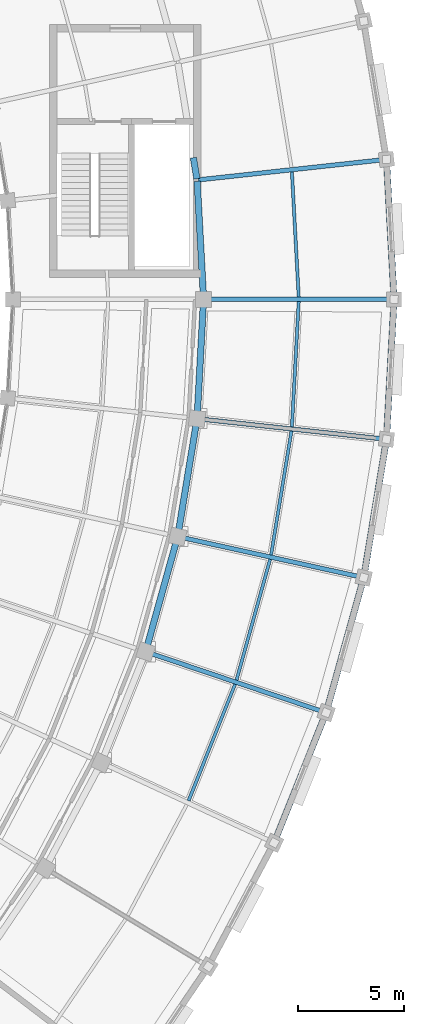
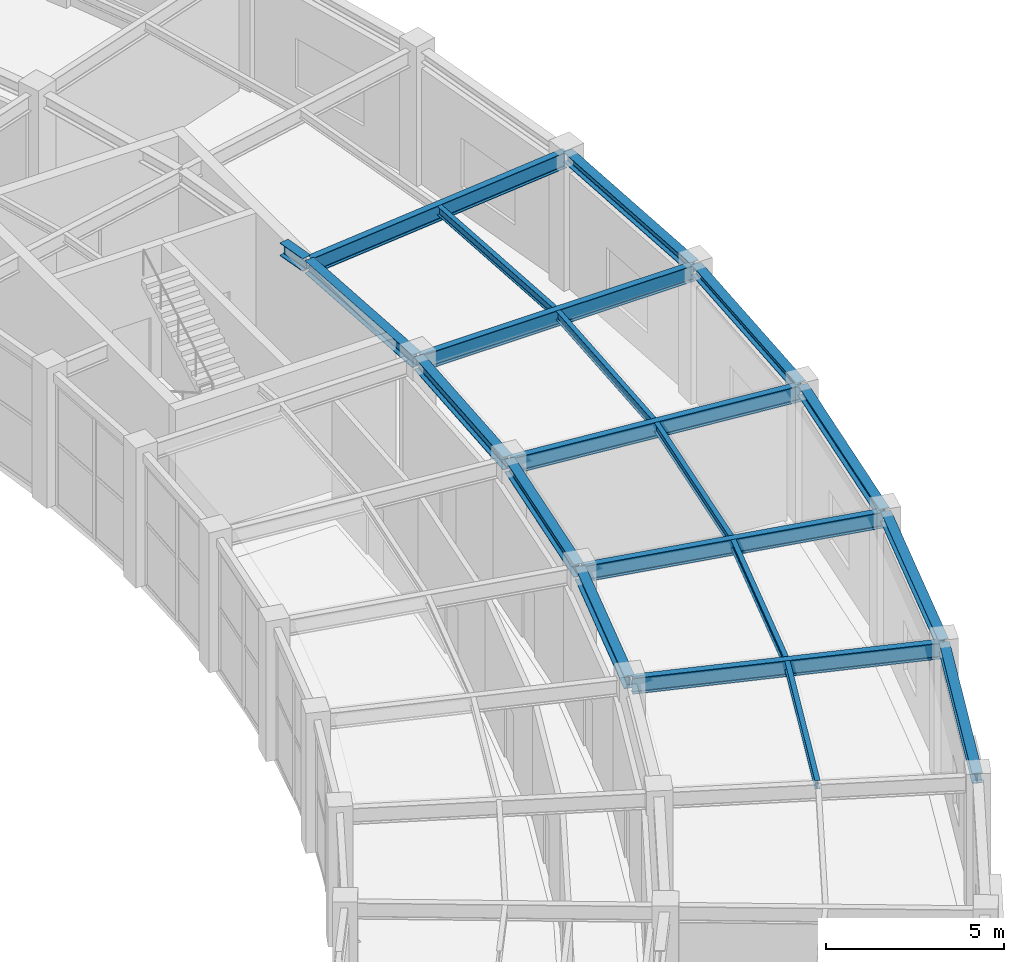
# One storey, part 59 of 100: 20 beams.
"""IFC4 building model written with IfcOpenShell, lengths in metres."""

from ifc_helpers import new_model, si_unit, direction, frame, origin, origin_2d, place, context, subcontext, project, spatial, i_section, extrude, material, material_profile, profile_set, type_object, element, save


model = new_model("IFC4")

# Units and contexts
model_context = context("Model", 3, precision=1e-05, world=origin(), true_north=direction((0.0, 1.0)))
body_context = subcontext(model_context, "Body", "Model", "MODEL_VIEW")
ifc_project = project(units=[si_unit("LENGTHUNIT", "METRE"), si_unit("AREAUNIT", "SQUARE_METRE"), si_unit("VOLUMEUNIT", "CUBIC_METRE"), si_unit("PLANEANGLEUNIT", "RADIAN"), si_unit("MASSUNIT", "GRAM", prefix="KILO")], contexts=[model_context])

# Site, building, storey
site_placement = place(None, origin())
site = spatial("IfcSite", under=ifc_project, at=site_placement, CompositionType="ELEMENT")
building_placement = place(site_placement, origin())
building = spatial("IfcBuilding", under=site, at=building_placement, Name="Tarnveldt Headland Concert Hall", CompositionType="ELEMENT")
storey_placement = place(building_placement, frame((0.0, 0.0, 4.800048828125)))
storey = spatial("IfcBuildingStorey", under=building, at=storey_placement, Name="L01", CompositionType="ELEMENT", Elevation=4.800048828125)

# Beams
ifc_material = material(Name="Steel S355", Category="steel")
ifc_material_profile_1 = material_profile(ifc_material, i_section(OverallWidth=0.300048828125, OverallDepth=0.35009765625, WebThickness=0.010009765625, FlangeThickness=0.017578125, FilletRadius=0.027099609375, at=origin_2d()), Name="HEA360", Category="steel")
ifc_profile_set_1 = profile_set([ifc_material_profile_1], Name="Steel S355")
beam_type_1 = type_object("IfcBeamType", Name="SB-HEA360", PredefinedType="SPANDREL", material=ifc_profile_set_1)
beam_1_placement = place(storey_placement, frame((172.85693359375, 34.38330078125, 4.364990234375), z_axis=(0.370995678575, 0.928634592549, 0.0), x_axis=(-0.928634592549, 0.370995678575, 0.0)))
element("IfcBeam", 1, at=beam_1_placement, inside=storey, type_object=beam_type_1, Name="Framing beam L01-774", PredefinedType="SPANDREL", context=body_context, shape_type="SweptSolid", body=[
    extrude(i_section(OverallWidth=0.300048828125, OverallDepth=0.35009765625, WebThickness=0.010009765625, FlangeThickness=0.017578125, FilletRadius=0.027099609375, at=origin_2d()), origin(), (0.0, 0.0, 1.0), 6.5009765625),
])
beam_2_placement = place(storey_placement, frame((175.307373046875, 40.533935546875, 4.364990234375), z_axis=(0.268162889674, 0.963373585169, 0.0), x_axis=(-0.963373585169, 0.268162889674, 0.0)))
element("IfcBeam", 2, at=beam_2_placement, inside=storey, type_object=beam_type_1, Name="Framing beam L01-781", PredefinedType="SPANDREL", context=body_context, shape_type="SweptSolid", body=[
    extrude(i_section(OverallWidth=0.300048828125, OverallDepth=0.35009765625, WebThickness=0.010009765625, FlangeThickness=0.017578125, FilletRadius=0.027099609375, at=origin_2d()), origin(), (0.0, 0.0, 1.0), 6.501220703125),
])
beam_3_placement = place(storey_placement, frame((177.076416015625, 46.9140625, 4.364990234375), z_axis=(0.162188067735, 0.986759864752, 0.0), x_axis=(-0.986759864752, 0.162188067735, 0.0)))
element("IfcBeam", 3, at=beam_3_placement, inside=storey, type_object=beam_type_1, Name="Framing beam L01-788", PredefinedType="SPANDREL", context=body_context, shape_type="SweptSolid", body=[
    extrude(i_section(OverallWidth=0.300048828125, OverallDepth=0.35009765625, WebThickness=0.010009765625, FlangeThickness=0.017578125, FilletRadius=0.027099609375, at=origin_2d()), origin(), (0.0, 0.0, 1.0), 6.50146484375),
])
for number, where, z_axis, x_axis, name in (
    (4, (178.143798828125, 53.448486328125, 4.364990234375), (0.054263670447, 0.998526641642, 0.0), (-0.998526641642, 0.054263670447, 0.0), "Framing beam L01-795"),
    (5, (178.49658203125, 60.059814453125, 4.364990234375), (-0.054263670447, 0.998526641642, 0.0), (-0.998526641642, -0.054263670447, 0.0), "Framing beam L01-802"),
):
    element("IfcBeam", number, at=place(storey_placement, frame(where, z_axis=z_axis, x_axis=x_axis)), inside=storey, type_object=beam_type_1, Name=name, PredefinedType="SPANDREL", context=body_context, shape_type="SweptSolid", body=[
        extrude(i_section(OverallWidth=0.300048828125, OverallDepth=0.35009765625, WebThickness=0.010009765625, FlangeThickness=0.017578125, FilletRadius=0.027099609375, at=origin_2d()), origin(), (0.0, 0.0, 1.0), 6.501220703125),
    ])
ifc_material_profile_2 = material_profile(ifc_material, i_section(OverallWidth=0.300048828125, OverallDepth=0.43994140625, WebThickness=0.011474609375, FlangeThickness=0.02099609375, FilletRadius=0.027099609375, at=origin_2d()), Name="HEA450", Category="steel")
ifc_profile_set_2 = profile_set([ifc_material_profile_2], Name="Steel S355")
beam_type_2 = type_object("IfcBeamType", Name="SB-HEA450", PredefinedType="BEAM", material=ifc_profile_set_2)
for number, where, z_axis, x_axis, name in (
    (6, (166.78076171875, 43.41455078125, 4.320068359375), (0.268165788284, 0.963372778313, 0.0), (-0.963372778313, 0.268165788284, 0.0), "Framing beam L01-780"),
    (7, (168.2880859375, 48.853515625, 4.320068359375), (0.16219127416, 0.986759337724, 0.0), (-0.986759337724, 0.16219127416, 0.0), "Framing beam L01-787"),
    (8, (169.197021484375, 54.423828125, 4.320068359375), (0.054224156809, 0.998528788177, 0.0), (-0.998528788177, 0.054224156809, 0.0), "Framing beam L01-794"),
    (9, (169.49658203125, 60.059814453125, 4.320068359375), (-0.054224156809, 0.998528788177, 0.0), (-0.998528788177, -0.054224156809, 0.0), "Framing beam L01-801"),
):
    element("IfcBeam", number, at=place(storey_placement, frame(where, z_axis=z_axis, x_axis=x_axis)), inside=storey, type_object=beam_type_2, Name=name, PredefinedType="BEAM", context=body_context, shape_type="SweptSolid", body=[
        extrude(i_section(OverallWidth=0.300048828125, OverallDepth=0.43994140625, WebThickness=0.011474609375, FlangeThickness=0.02099609375, FilletRadius=0.027099609375, at=origin_2d()), origin(), (0.0, 0.0, 1.0), 5.5244140625),
    ])
beam_4_placement = place(storey_placement, frame((169.18408203125, 65.6953125, 4.320068359375), z_axis=(-0.16224524411, 0.986750465297, 0.0), x_axis=(-0.986750465297, -0.16224524411, 0.0)))
element("IfcBeam", 10, at=beam_4_placement, inside=storey, type_object=beam_type_2, Name="Framing beam L01-808", PredefinedType="BEAM", context=body_context, shape_type="SweptSolid", body=[
    extrude(i_section(OverallWidth=0.300048828125, OverallDepth=0.43994140625, WebThickness=0.011474609375, FlangeThickness=0.02099609375, FilletRadius=0.027099609375, at=origin_2d()), origin(), (0.0, 0.0, 1.0), 1.01123046875),
])
ifc_material_profile_3 = material_profile(ifc_material, i_section(OverallWidth=0.14990234375, OverallDepth=0.300048828125, WebThickness=0.007080078125, FlangeThickness=0.0107421875, FilletRadius=0.014892578125, at=origin_2d()), Name="IPE300", Category="steel")
ifc_profile_set_3 = profile_set([ifc_material_profile_3], Name="Steel S355")
beam_type_3 = type_object("IfcBeamType", Name="SB-IPE300", PredefinedType="JOIST", material=ifc_profile_set_3)
beam_5_placement = place(storey_placement, frame((168.79150390625, 36.31884765625, 4.389892578125), z_axis=(0.371013987619, 0.928627277755, 0.0), x_axis=(-0.928627277755, 0.371013987619, 0.0)))
element("IfcBeam", 11, at=beam_5_placement, inside=storey, type_object=beam_type_3, Name="Framing beam L01-776", PredefinedType="JOIST", context=body_context, shape_type="SweptSolid", body=[
    extrude(i_section(OverallWidth=0.14990234375, OverallDepth=0.300048828125, WebThickness=0.007080078125, FlangeThickness=0.0107421875, FilletRadius=0.014892578125, at=origin_2d()), origin(), (0.0, 0.0, 1.0), 5.923095703125),
])
beam_6_placement = place(storey_placement, frame((171.05615234375, 42.017578125, 4.389892578125), z_axis=(0.268143442058, 0.96337899836, 0.0), x_axis=(-0.96337899836, 0.268143442058, 0.0)))
element("IfcBeam", 12, at=beam_6_placement, inside=storey, type_object=beam_type_3, Name="Framing beam L01-783", PredefinedType="JOIST", context=body_context, shape_type="SweptSolid", body=[
    extrude(i_section(OverallWidth=0.14990234375, OverallDepth=0.300048828125, WebThickness=0.007080078125, FlangeThickness=0.0107421875, FilletRadius=0.014892578125, at=origin_2d()), origin(), (0.0, 0.0, 1.0), 5.922607421875),
])
for number, where, z_axis, x_axis, name in (
    (13, (172.689697265625, 47.92822265625, 4.389892578125), (0.162159317287, 0.986764589868, 0.0), (-0.986764589868, 0.162159317287, 0.0), "Framing beam L01-790"),
    (14, (173.6728515625, 53.981201171875, 4.389892578125), (0.054287396326, 0.998525352007, 0.0), (-0.998525352007, 0.054287396326, 0.0), "Framing beam L01-797"),
    (15, (173.994384765625, 60.104736328125, 4.389892578125), (-0.054287396326, 0.998525352007, 0.0), (-0.998525352007, -0.054287396326, 0.0), "Framing beam L01-804"),
):
    element("IfcBeam", number, at=place(storey_placement, frame(where, z_axis=z_axis, x_axis=x_axis)), inside=storey, type_object=beam_type_3, Name=name, PredefinedType="JOIST", context=body_context, shape_type="SweptSolid", body=[
        extrude(i_section(OverallWidth=0.14990234375, OverallDepth=0.300048828125, WebThickness=0.007080078125, FlangeThickness=0.0107421875, FilletRadius=0.014892578125, at=origin_2d()), origin(), (0.0, 0.0, 1.0), 5.9228515625),
    ])
ifc_material_profile_4 = material_profile(ifc_material, i_section(OverallWidth=0.2099609375, OverallDepth=0.550048828125, WebThickness=0.010986328125, FlangeThickness=0.01708984375, FilletRadius=0.02392578125, at=origin_2d()), Name="IPE550", Category="steel")
ifc_profile_set_4 = profile_set([ifc_material_profile_4], Name="Steel S355")
beam_type_4 = type_object("IfcBeamType", Name="SB-IPE550", PredefinedType="BEAM", material=ifc_profile_set_4)
for number, where, z_axis, x_axis, name in (
    (16, (166.8212890625, 43.337646484375, 4.264892578125), (0.947394358085, -0.320068633686, 0.0), (0.320068633686, 0.947394358085, 0.0), "Framing beam L01-778"),
    (17, (168.3369140625, 48.781494140625, 4.264892578125), (0.976505569656, -0.215492163268, 0.0), (0.215492163268, 0.976505569656, 0.0), "Framing beam L01-785"),
):
    element("IfcBeam", number, at=place(storey_placement, frame(where, z_axis=z_axis, x_axis=x_axis)), inside=storey, type_object=beam_type_4, Name=name, PredefinedType="BEAM", context=body_context, shape_type="SweptSolid", body=[
        extrude(i_section(OverallWidth=0.2099609375, OverallDepth=0.550048828125, WebThickness=0.010986328125, FlangeThickness=0.01708984375, FilletRadius=0.02392578125, at=origin_2d()), origin(), (0.0, 0.0, 1.0), 8.880126953125),
    ])
for number, where, z_axis, x_axis, name in (
    (18, (169.25341796875, 54.357421875, 4.264892578125), (0.994109611255, -0.108379337562, 0.0), (0.108379337562, 0.994109611255, 0.0), "Framing beam L01-792"),
    (19, (169.56005859375, 60.0, 4.264892578125), (1.0, 0.0, 0.0), (0.0, 1.0, 0.0), "Framing beam L01-799"),
    (20, (169.25341796875, 65.642578125, 4.264892578125), (0.994109611255, 0.108379337562, 0.0), (-0.108379337562, 0.994109611255, 0.0), "Framing beam L01-806"),
):
    element("IfcBeam", number, at=place(storey_placement, frame(where, z_axis=z_axis, x_axis=x_axis)), inside=storey, type_object=beam_type_4, Name=name, PredefinedType="BEAM", context=body_context, shape_type="SweptSolid", body=[
        extrude(i_section(OverallWidth=0.2099609375, OverallDepth=0.550048828125, WebThickness=0.010986328125, FlangeThickness=0.01708984375, FilletRadius=0.02392578125, at=origin_2d()), origin(), (0.0, 0.0, 1.0), 8.8798828125),
    ])

save(model, "model.ifc")
